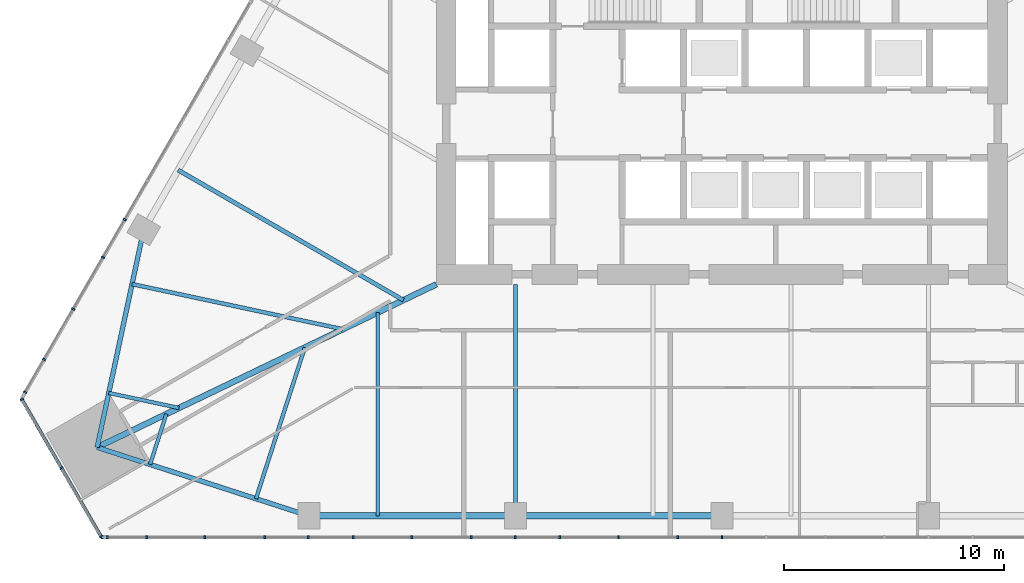
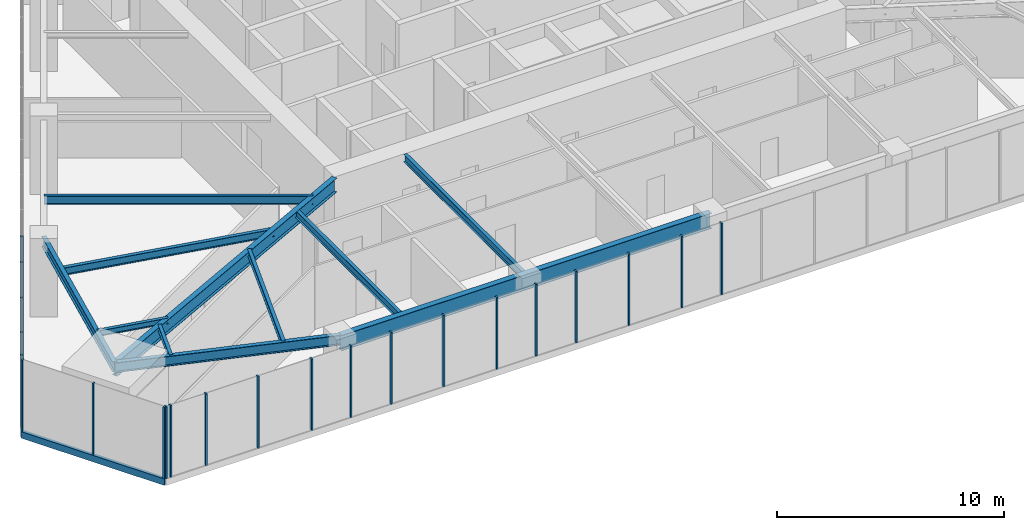
# One storey, part 2 of 21: 23 members, 11 beams, 3 elements without a shape of their own.
"""IFC4 building model written with IfcOpenShell, lengths in metres."""

from ifc_helpers import new_model, si_unit, direction, frame, origin, origin_2d, place, context, subcontext, project, spatial, rectangle, i_section, extrude, material, layer, layer_set, material_profile, profile_set, type_object, element, aggregate, save


model = new_model("IFC4")

# Units and contexts
model_context = context("Model", 3, precision=1e-05, world=origin(), true_north=direction((0.0, 1.0)))
body_context = subcontext(model_context, "Body", "Model", "MODEL_VIEW")
ifc_project = project(units=[si_unit("LENGTHUNIT", "METRE"), si_unit("AREAUNIT", "SQUARE_METRE"), si_unit("VOLUMEUNIT", "CUBIC_METRE"), si_unit("PLANEANGLEUNIT", "RADIAN"), si_unit("MASSUNIT", "GRAM", prefix="KILO")], contexts=[model_context])

# Site, building, storey
site_placement = place(None, origin())
site = spatial("IfcSite", under=ifc_project, at=site_placement, CompositionType="ELEMENT")
building_placement = place(site_placement, origin())
building = spatial("IfcBuilding", under=site, at=building_placement, Name="Firuza Gate Tower and Library", CompositionType="ELEMENT")
storey_placement = place(building_placement, frame((0.0, 0.0, 98.800048828125)))
storey = spatial("IfcBuildingStorey", under=building, at=storey_placement, Name="L22", CompositionType="ELEMENT", Elevation=98.800048828125)

# Curtain wall, members
ifc_material_1 = material(Name="Aluminium 6063-T6", Category="aluminium")
ifc_layer_1 = layer(ifc_material_1, 0.14990234375)
ifc_layer_set_1 = layer_set([ifc_layer_1], Name="Unitised curtain wall, offices")
curtain_wall_type_1 = type_object("IfcCurtainWallType", Name="Unitised curtain wall, offices", PredefinedType="NOTDEFINED", material=ifc_layer_set_1)
placement = place(storey_placement, origin())
curtain_wall_1 = element("IfcCurtainWall", 1, at=placement, inside=storey, type_object=curtain_wall_type_1, Name="CW1 L22 S face", PredefinedType="NOTDEFINED")
ifc_material_2 = material(Name="Aluminium 6063-T6", Category="aluminium")
ifc_material_profile_1 = material_profile(ifc_material_2, rectangle(XDim=0.14990234375, YDim=0.080078125, at=origin_2d()))
ifc_profile_set_1 = profile_set([ifc_material_profile_1], Name="Aluminium 6063-T6")
member_type_1 = type_object("IfcMemberType", Name="Curtain wall mullion 80x150", PredefinedType="MULLION", material=ifc_profile_set_1)
member_1_placement = place(storey_placement, frame((46.78662109375, 54.48095703125, 0.14990234375), z_axis=(0.0, 0.0, 1.0), x_axis=(0.0, 1.0, 0.0)))
member_1 = element("IfcMember", 2, at=member_1_placement, type_object=member_type_1, Name="Mullion", PredefinedType="MULLION", context=body_context, shape_type="SweptSolid", body=[
    extrude(rectangle(XDim=0.14990234375, YDim=0.080078125, at=origin_2d()), origin(), (0.0, 0.0, 1.0), 3.85009765625),
])
member_2_placement = place(storey_placement, frame((51.45556640625, 54.48095703125, 0.14990234375), z_axis=(0.0, 0.0, 1.0), x_axis=(0.0, 1.0, 0.0)))
member_2 = element("IfcMember", 3, at=member_2_placement, type_object=member_type_1, Name="Mullion", PredefinedType="MULLION", context=body_context, shape_type="SweptSolid", body=[
    extrude(rectangle(XDim=0.14990234375, YDim=0.080078125, at=origin_2d()), origin(), (0.0, 0.0, 1.0), 3.85009765625),
])
member_3_placement = place(storey_placement, frame((56.164306640625, 54.48095703125, 0.14990234375), z_axis=(0.0, 0.0, 1.0), x_axis=(0.0, 1.0, 0.0)))
member_3 = element("IfcMember", 4, at=member_3_placement, type_object=member_type_1, Name="Mullion", PredefinedType="MULLION", context=body_context, shape_type="SweptSolid", body=[
    extrude(rectangle(XDim=0.14990234375, YDim=0.080078125, at=origin_2d()), origin(), (0.0, 0.0, 1.0), 3.85009765625),
])
member_4_placement = place(storey_placement, frame((60.873291015625, 54.48095703125, 0.14990234375), z_axis=(0.0, 0.0, 1.0), x_axis=(0.0, 1.0, 0.0)))
member_4 = element("IfcMember", 5, at=member_4_placement, type_object=member_type_1, Name="Mullion", PredefinedType="MULLION", context=body_context, shape_type="SweptSolid", body=[
    extrude(rectangle(XDim=0.14990234375, YDim=0.080078125, at=origin_2d()), origin(), (0.0, 0.0, 1.0), 3.85009765625),
])
member_5_placement = place(storey_placement, frame((65.582275390625, 54.48095703125, 0.14990234375), z_axis=(0.0, 0.0, 1.0), x_axis=(0.0, 1.0, 0.0)))
member_5 = element("IfcMember", 6, at=member_5_placement, type_object=member_type_1, Name="Mullion", PredefinedType="MULLION", context=body_context, shape_type="SweptSolid", body=[
    extrude(rectangle(XDim=0.14990234375, YDim=0.080078125, at=origin_2d()), origin(), (0.0, 0.0, 1.0), 3.85009765625),
])
member_6_placement = place(storey_placement, frame((70.291015625, 54.48095703125, 0.14990234375), z_axis=(0.0, 0.0, 1.0), x_axis=(0.0, 1.0, 0.0)))
member_6 = element("IfcMember", 7, at=member_6_placement, type_object=member_type_1, Name="Mullion", PredefinedType="MULLION", context=body_context, shape_type="SweptSolid", body=[
    extrude(rectangle(XDim=0.14990234375, YDim=0.080078125, at=origin_2d()), origin(), (0.0, 0.0, 1.0), 3.85009765625),
])
member_7_placement = place(storey_placement, frame((75.0, 54.48095703125, 0.14990234375), z_axis=(0.0, 0.0, 1.0), x_axis=(0.0, 1.0, 0.0)))
member_7 = element("IfcMember", 8, at=member_7_placement, type_object=member_type_1, Name="Mullion", PredefinedType="MULLION", context=body_context, shape_type="SweptSolid", body=[
    extrude(rectangle(XDim=0.14990234375, YDim=0.080078125, at=origin_2d()), origin(), (0.0, 0.0, 1.0), 3.85009765625),
])
member_8_placement = place(storey_placement, frame((47.0126953125, 54.48095703125, 0.14990234375), z_axis=(0.0, 0.0, 1.0), x_axis=(0.0, 1.0, 0.0)))
member_8 = element("IfcMember", 9, at=member_8_placement, type_object=member_type_1, Name="Mullion", PredefinedType="MULLION", context=body_context, shape_type="SweptSolid", body=[
    extrude(rectangle(XDim=0.14990234375, YDim=0.080078125, at=origin_2d()), origin(), (0.0, 0.0, 1.0), 3.85009765625),
])
member_9_placement = place(storey_placement, frame((48.806640625, 54.48095703125, 0.14990234375), z_axis=(0.0, 0.0, 1.0), x_axis=(0.0, 1.0, 0.0)))
member_9 = element("IfcMember", 10, at=member_9_placement, type_object=member_type_1, Name="Mullion", PredefinedType="MULLION", context=body_context, shape_type="SweptSolid", body=[
    extrude(rectangle(XDim=0.14990234375, YDim=0.080078125, at=origin_2d()), origin(), (0.0, 0.0, 1.0), 3.85009765625),
])
member_10_placement = place(storey_placement, frame((54.176513671875, 54.48095703125, 0.14990234375), z_axis=(0.0, 0.0, 1.0), x_axis=(0.0, 1.0, 0.0)))
member_10 = element("IfcMember", 11, at=member_10_placement, type_object=member_type_1, Name="Mullion", PredefinedType="MULLION", context=body_context, shape_type="SweptSolid", body=[
    extrude(rectangle(XDim=0.14990234375, YDim=0.080078125, at=origin_2d()), origin(), (0.0, 0.0, 1.0), 3.85009765625),
])
member_11_placement = place(storey_placement, frame((58.2099609375, 54.48095703125, 0.14990234375), z_axis=(0.0, 0.0, 1.0), x_axis=(0.0, 1.0, 0.0)))
member_11 = element("IfcMember", 12, at=member_11_placement, type_object=member_type_1, Name="Mullion", PredefinedType="MULLION", context=body_context, shape_type="SweptSolid", body=[
    extrude(rectangle(XDim=0.14990234375, YDim=0.080078125, at=origin_2d()), origin(), (0.0, 0.0, 1.0), 3.85009765625),
])
member_12_placement = place(storey_placement, frame((63.579833984375, 54.48095703125, 0.14990234375), z_axis=(0.0, 0.0, 1.0), x_axis=(0.0, 1.0, 0.0)))
member_12 = element("IfcMember", 13, at=member_12_placement, type_object=member_type_1, Name="Mullion", PredefinedType="MULLION", context=body_context, shape_type="SweptSolid", body=[
    extrude(rectangle(XDim=0.14990234375, YDim=0.080078125, at=origin_2d()), origin(), (0.0, 0.0, 1.0), 3.85009765625),
])
member_13_placement = place(storey_placement, frame((67.61328125, 54.48095703125, 0.14990234375), z_axis=(0.0, 0.0, 1.0), x_axis=(0.0, 1.0, 0.0)))
member_13 = element("IfcMember", 14, at=member_13_placement, type_object=member_type_1, Name="Mullion", PredefinedType="MULLION", context=body_context, shape_type="SweptSolid", body=[
    extrude(rectangle(XDim=0.14990234375, YDim=0.080078125, at=origin_2d()), origin(), (0.0, 0.0, 1.0), 3.85009765625),
])
member_14_placement = place(storey_placement, frame((72.9833984375, 54.48095703125, 0.14990234375), z_axis=(0.0, 0.0, 1.0), x_axis=(0.0, 1.0, 0.0)))
member_14 = element("IfcMember", 15, at=member_14_placement, type_object=member_type_1, Name="Mullion", PredefinedType="MULLION", context=body_context, shape_type="SweptSolid", body=[
    extrude(rectangle(XDim=0.14990234375, YDim=0.080078125, at=origin_2d()), origin(), (0.0, 0.0, 1.0), 3.85009765625),
])
aggregate(curtain_wall_1, [member_1, member_2, member_3, member_4, member_5, member_6, member_7, member_8, member_9, member_10, member_11, member_12, member_13, member_14])

curtain_wall_2 = element("IfcCurtainWall", 16, at=placement, inside=storey, type_object=curtain_wall_type_1, Name="CW1 L22 W face", PredefinedType="NOTDEFINED")
member_15_placement = place(storey_placement, frame((47.812255859375, 68.947509765625, 0.14990234375), z_axis=(0.0, 0.0, 1.0), x_axis=(0.866025403784, -0.5, 0.0)))
member_15 = element("IfcMember", 17, at=member_15_placement, type_object=member_type_1, Name="Mullion", PredefinedType="MULLION", context=body_context, shape_type="SweptSolid", body=[
    extrude(rectangle(XDim=0.14990234375, YDim=0.080078125, at=origin_2d()), origin(), (0.0, 0.0, 1.0), 3.85009765625),
])
member_16_placement = place(storey_placement, frame((45.457763671875, 64.869384765625, 0.14990234375), z_axis=(0.0, 0.0, 1.0), x_axis=(0.866025403784, -0.5, 0.0)))
member_16 = element("IfcMember", 18, at=member_16_placement, type_object=member_type_1, Name="Mullion", PredefinedType="MULLION", context=body_context, shape_type="SweptSolid", body=[
    extrude(rectangle(XDim=0.14990234375, YDim=0.080078125, at=origin_2d()), origin(), (0.0, 0.0, 1.0), 3.85009765625),
])
member_17_placement = place(storey_placement, frame((46.818359375, 67.225830078125, 0.14990234375), z_axis=(0.0, 0.0, 1.0), x_axis=(0.866025403784, -0.5, 0.0)))
member_17 = element("IfcMember", 19, at=member_17_placement, type_object=member_type_1, Name="Mullion", PredefinedType="MULLION", context=body_context, shape_type="SweptSolid", body=[
    extrude(rectangle(XDim=0.14990234375, YDim=0.080078125, at=origin_2d()), origin(), (0.0, 0.0, 1.0), 3.85009765625),
])
member_18_placement = place(storey_placement, frame((44.13330078125, 62.575439453125, 0.14990234375), z_axis=(0.0, 0.0, 1.0), x_axis=(0.866025403784, -0.5, 0.0)))
member_18 = element("IfcMember", 20, at=member_18_placement, type_object=member_type_1, Name="Mullion", PredefinedType="MULLION", context=body_context, shape_type="SweptSolid", body=[
    extrude(rectangle(XDim=0.14990234375, YDim=0.080078125, at=origin_2d()), origin(), (0.0, 0.0, 1.0), 3.85009765625),
])
member_19_placement = place(storey_placement, frame((43.268798828125, 61.078125, 0.14990234375), z_axis=(0.0, 0.0, 1.0), x_axis=(0.866025403784, -0.5, 0.0)))
member_19 = element("IfcMember", 21, at=member_19_placement, type_object=member_type_1, Name="Mullion", PredefinedType="MULLION", context=body_context, shape_type="SweptSolid", body=[
    extrude(rectangle(XDim=0.14990234375, YDim=0.080078125, at=origin_2d()), origin(), (0.0, 0.0, 1.0), 3.85009765625),
])
aggregate(curtain_wall_2, [member_15, member_16, member_17, member_18, member_19])

ifc_material_3 = material(Name="Aluminium 6063-T6", Category="aluminium")
ifc_layer_2 = layer(ifc_material_3, 0.14990234375)
ifc_layer_set_2 = layer_set([ifc_layer_2], Name="Corner curtain wall, chamfers")
curtain_wall_type_2 = type_object("IfcCurtainWallType", Name="Corner curtain wall, chamfers", PredefinedType="NOTDEFINED", material=ifc_layer_set_2)
curtain_wall_3 = element("IfcCurtainWall", 22, at=placement, inside=storey, type_object=curtain_wall_type_2, Name="CW4 L22 SW corner", PredefinedType="NOTDEFINED")
member_20_placement = place(storey_placement, frame((43.123291015625, 60.756591796875, 0.14990234375), z_axis=(0.0, 0.0, 1.0), x_axis=(0.866025403784, 0.5, 0.0)))
member_20 = element("IfcMember", 23, at=member_20_placement, type_object=member_type_1, Name="Mullion", PredefinedType="MULLION", context=body_context, shape_type="SweptSolid", body=[
    extrude(rectangle(XDim=0.14990234375, YDim=0.080078125, at=origin_2d()), origin(), (0.0, 0.0, 1.0), 3.85009765625),
])
member_21_placement = place(storey_placement, frame((44.925048828125, 57.63623046875, 0.14990234375), z_axis=(0.0, 0.0, 1.0), x_axis=(0.866025403784, 0.5, 0.0)))
member_21 = element("IfcMember", 24, at=member_21_placement, type_object=member_type_1, Name="Mullion", PredefinedType="MULLION", context=body_context, shape_type="SweptSolid", body=[
    extrude(rectangle(XDim=0.14990234375, YDim=0.080078125, at=origin_2d()), origin(), (0.0, 0.0, 1.0), 3.85009765625),
])
member_22_placement = place(storey_placement, frame((46.7265625, 54.515625, 0.14990234375), z_axis=(0.0, 0.0, 1.0), x_axis=(0.866025403784, 0.5, 0.0)))
member_22 = element("IfcMember", 25, at=member_22_placement, type_object=member_type_1, Name="Mullion", PredefinedType="MULLION", context=body_context, shape_type="SweptSolid", body=[
    extrude(rectangle(XDim=0.14990234375, YDim=0.080078125, at=origin_2d()), origin(), (0.0, 0.0, 1.0), 3.85009765625),
])
ifc_material_4 = material(Name="Aluminium 6063-T6", Category="aluminium")
ifc_material_profile_2 = material_profile(ifc_material_4, rectangle(XDim=0.14990234375, YDim=0.35009765625, at=origin_2d()))
ifc_profile_set_2 = profile_set([ifc_material_profile_2], Name="Aluminium 6063-T6")
member_type_2 = type_object("IfcMemberType", Name="Curtain wall transom 350x150", PredefinedType="USERDEFINED", material=ifc_profile_set_2)
member_23_placement = place(storey_placement, frame((43.103271484375, 60.791259765625, -0.025146484375), z_axis=(0.500005719219, -0.866022101766, 0.0), x_axis=(0.866022101766, 0.500005719219, 0.0)))
member_23 = element("IfcMember", 26, at=member_23_placement, type_object=member_type_2, Name="Transom", ObjectType="TRANSOM", PredefinedType="USERDEFINED", context=body_context, shape_type="SweptSolid", body=[
    extrude(rectangle(XDim=0.14990234375, YDim=0.35009765625, at=origin_2d()), origin(), (0.0, 0.0, 1.0), 7.28662109375),
])
aggregate(curtain_wall_3, [member_20, member_21, member_22, member_23])

# Beams
ifc_material_5 = material(Name="Steel S355", Category="steel")
ifc_material_profile_3 = material_profile(ifc_material_5, i_section(OverallWidth=0.1650390625, OverallDepth=0.31005859375, WebThickness=0.005859375, FlangeThickness=0.009765625, at=origin_2d()))
ifc_profile_set_3 = profile_set([ifc_material_profile_3], Name="Steel S355")
beam_type_1 = type_object("IfcBeamType", Name="W310x39 Floor beam", PredefinedType="JOIST", material=ifc_profile_set_3)
beam_1_placement = place(storey_placement, frame((47.079345703125, 61.051513671875, 3.844970703125), z_axis=(0.97783625128, -0.209371119503, 0.0), x_axis=(0.209371119503, 0.97783625128, 0.0)))
element("IfcBeam", 27, at=beam_1_placement, inside=storey, type_object=beam_type_1, Name="Floor beam L22 s01", PredefinedType="JOIST", context=body_context, shape_type="SweptSolid", body=[
    extrude(i_section(OverallWidth=0.1650390625, OverallDepth=0.31005859375, WebThickness=0.005859375, FlangeThickness=0.009765625, at=origin_2d()), origin(), (0.0, 0.0, 1.0), 3.27197265625),
])
beam_2_placement = place(storey_placement, frame((48.9599609375, 57.794189453125, 3.844970703125), z_axis=(0.307529192358, 0.951538646534, 0.0), x_axis=(-0.951538646534, 0.307529192358, 0.0)))
element("IfcBeam", 28, at=beam_2_placement, inside=storey, type_object=beam_type_1, Name="Floor beam L22 s10", PredefinedType="JOIST", context=body_context, shape_type="SweptSolid", body=[
    extrude(i_section(OverallWidth=0.1650390625, OverallDepth=0.31005859375, WebThickness=0.005859375, FlangeThickness=0.009765625, at=origin_2d()), origin(), (0.0, 0.0, 1.0), 2.411865234375),
])
ifc_material_6 = material(Name="Steel S355", Category="steel")
ifc_material_profile_4 = material_profile(ifc_material_6, i_section(OverallWidth=0.1708984375, OverallDepth=0.35498046875, WebThickness=0.007080078125, FlangeThickness=0.01171875, at=origin_2d()))
ifc_profile_set_4 = profile_set([ifc_material_profile_4], Name="Steel S355")
beam_type_2 = type_object("IfcBeamType", Name="W360x51 Floor beam", PredefinedType="JOIST", material=ifc_profile_set_4)
beam_3_placement = place(storey_placement, frame((53.7822265625, 56.2353515625, 3.822509765625), z_axis=(0.307569618225, 0.951525580289, 0.0), x_axis=(-0.951525580289, 0.307569618225, 0.0)))
element("IfcBeam", 29, at=beam_3_placement, inside=storey, type_object=beam_type_2, Name="Floor beam L22 s11", PredefinedType="JOIST", context=body_context, shape_type="SweptSolid", body=[
    extrude(i_section(OverallWidth=0.1708984375, OverallDepth=0.35498046875, WebThickness=0.007080078125, FlangeThickness=0.01171875, at=origin_2d()), origin(), (0.0, 0.0, 1.0), 7.2353515625),
])
ifc_material_7 = material(Name="Steel S355", Category="steel")
ifc_material_profile_5 = material_profile(ifc_material_7, i_section(OverallWidth=0.177978515625, OverallDepth=0.406982421875, WebThickness=0.0078125, FlangeThickness=0.0126953125, at=origin_2d()))
ifc_profile_set_5 = profile_set([ifc_material_profile_5], Name="Steel S355")
beam_type_3 = type_object("IfcBeamType", Name="W410x60 Floor beam", PredefinedType="JOIST", material=ifc_profile_set_5)
beam_4_placement = place(storey_placement, frame((48.140380859375, 66.007080078125, 3.79638671875), z_axis=(0.977835160952, -0.209376211652, 0.0), x_axis=(0.209376211652, 0.977835160952, 0.0)))
element("IfcBeam", 30, at=beam_4_placement, inside=storey, type_object=beam_type_3, Name="Floor beam L22 s00", PredefinedType="JOIST", context=body_context, shape_type="SweptSolid", body=[
    extrude(i_section(OverallWidth=0.177978515625, OverallDepth=0.406982421875, WebThickness=0.0078125, FlangeThickness=0.0126953125, at=origin_2d()), origin(), (0.0, 0.0, 1.0), 9.815673828125),
])
beam_5_placement = place(storey_placement, frame((59.32763671875, 55.4560546875, 3.79638671875), z_axis=(0.0, 1.0, 0.0), x_axis=(-1.0, 0.0, 0.0)))
element("IfcBeam", 31, at=beam_5_placement, inside=storey, type_object=beam_type_3, Name="Floor beam L22 s20", PredefinedType="JOIST", context=body_context, shape_type="SweptSolid", body=[
    extrude(i_section(OverallWidth=0.177978515625, OverallDepth=0.406982421875, WebThickness=0.0078125, FlangeThickness=0.0126953125, at=origin_2d()), origin(), (0.0, 0.0, 1.0), 9.259521484375),
])
beam_6_placement = place(storey_placement, frame((65.5966796875, 55.4560546875, 3.79638671875), z_axis=(0.0, 1.0, 0.0), x_axis=(-1.0, 0.0, 0.0)))
element("IfcBeam", 32, at=beam_6_placement, inside=storey, type_object=beam_type_3, Name="Floor beam L22 s21", PredefinedType="JOIST", context=body_context, shape_type="SweptSolid", body=[
    extrude(i_section(OverallWidth=0.177978515625, OverallDepth=0.406982421875, WebThickness=0.0078125, FlangeThickness=0.0126953125, at=origin_2d()), origin(), (0.0, 0.0, 1.0), 10.5439453125),
])
ifc_material_8 = material(Name="Steel S355", Category="steel")
ifc_material_profile_6 = material_profile(ifc_material_8, i_section(OverallWidth=0.18994140625, OverallDepth=0.45703125, WebThickness=0.009033203125, FlangeThickness=0.014404296875, at=origin_2d()))
ifc_profile_set_6 = profile_set([ifc_material_profile_6], Name="Steel S355")
beam_type_4 = type_object("IfcBeamType", Name="W460x74 Floor beam", PredefinedType="JOIST", material=ifc_profile_set_6)
beam_7_placement = place(storey_placement, frame((50.23828125, 71.199462890625, 3.771484375), z_axis=(0.866019794698, -0.500009715097, 0.0), x_axis=(0.500009715097, 0.866019794698, 0.0)))
element("IfcBeam", 33, at=beam_7_placement, inside=storey, type_object=beam_type_4, Name="Floor beam L22 s85", PredefinedType="JOIST", context=body_context, shape_type="SweptSolid", body=[
    extrude(i_section(OverallWidth=0.18994140625, OverallDepth=0.45703125, WebThickness=0.009033203125, FlangeThickness=0.014404296875, at=origin_2d()), origin(), (0.0, 0.0, 1.0), 11.844482421875),
])
ifc_material_9 = material(Name="Steel S355", Category="steel")
ifc_material_profile_7 = material_profile(ifc_material_9, i_section(OverallWidth=0.212890625, OverallDepth=0.5390625, WebThickness=0.01171875, FlangeThickness=0.018798828125, at=origin_2d()))
ifc_profile_set_7 = profile_set([ifc_material_profile_7], Name="Steel S355")
beam_type_5 = type_object("IfcBeamType", Name="W530x109 Edge beam", PredefinedType="SPANDREL", material=ifc_profile_set_7)
beam_8_placement = place(storey_placement, frame((48.6708984375, 68.48486328125, 3.73046875), z_axis=(-0.209364588878, -0.977837649574, 0.0), x_axis=(0.977837649574, -0.209364588878, 0.0)))
element("IfcBeam", 34, at=beam_8_placement, inside=storey, type_object=beam_type_5, Name="Edge beam L22 e00", PredefinedType="SPANDREL", context=body_context, shape_type="SweptSolid", body=[
    extrude(i_section(OverallWidth=0.212890625, OverallDepth=0.5390625, WebThickness=0.01171875, FlangeThickness=0.018798828125, at=origin_2d()), origin(), (0.0, 0.0, 1.0), 10.1357421875),
])
beam_9_placement = place(storey_placement, frame((46.548828125, 58.57373046875, 3.73046875), z_axis=(0.951520013056, -0.307586840996, 0.0), x_axis=(0.307586840996, 0.951520013056, 0.0)))
element("IfcBeam", 35, at=beam_9_placement, inside=storey, type_object=beam_type_5, Name="Edge beam L22 e10", PredefinedType="SPANDREL", context=body_context, shape_type="SweptSolid", body=[
    extrude(i_section(OverallWidth=0.212890625, OverallDepth=0.5390625, WebThickness=0.01171875, FlangeThickness=0.018798828125, at=origin_2d()), origin(), (0.0, 0.0, 1.0), 10.135986328125),
])
ifc_material_10 = material(Name="Steel S355", Category="steel")
ifc_material_profile_8 = material_profile(ifc_material_10, i_section(OverallWidth=0.264892578125, OverallDepth=0.7529296875, WebThickness=0.01318359375, FlangeThickness=0.01708984375, at=origin_2d()))
ifc_profile_set_8 = profile_set([ifc_material_profile_8], Name="Steel S355")
beam_type_6 = type_object("IfcBeamType", Name="W760x147 Girder", PredefinedType="BEAM", material=ifc_profile_set_8)
beam_10_placement = place(storey_placement, frame((46.548828125, 58.57373046875, 3.62353515625), z_axis=(0.901302042776, 0.433191213771, 0.0), x_axis=(-0.433191213771, 0.901302042776, 0.0)))
element("IfcBeam", 36, at=beam_10_placement, inside=storey, type_object=beam_type_6, Name="Girder L22 gSW", PredefinedType="BEAM", context=body_context, shape_type="SweptSolid", body=[
    extrude(i_section(OverallWidth=0.264892578125, OverallDepth=0.7529296875, WebThickness=0.01318359375, FlangeThickness=0.01708984375, at=origin_2d()), origin(), (0.0, 0.0, 1.0), 17.14306640625),
])
ifc_material_11 = material(Name="Steel S355", Category="steel")
ifc_material_profile_9 = material_profile(ifc_material_11, i_section(OverallWidth=0.2919921875, OverallDepth=0.8349609375, WebThickness=0.013916015625, FlangeThickness=0.018798828125, at=origin_2d()))
ifc_profile_set_9 = profile_set([ifc_material_profile_9], Name="Steel S355")
beam_type_7 = type_object("IfcBeamType", Name="W840x176 Edge beam", PredefinedType="SPANDREL", material=ifc_profile_set_9)
beam_11_placement = place(storey_placement, frame((56.193359375, 55.4560546875, 3.58251953125), z_axis=(1.0, 0.0, 0.0), x_axis=(0.0, 1.0, 0.0)))
element("IfcBeam", 37, at=beam_11_placement, inside=storey, type_object=beam_type_7, Name="Edge beam L22 e20", PredefinedType="SPANDREL", context=body_context, shape_type="SweptSolid", body=[
    extrude(i_section(OverallWidth=0.2919921875, OverallDepth=0.8349609375, WebThickness=0.013916015625, FlangeThickness=0.018798828125, at=origin_2d()), origin(), (0.0, 0.0, 1.0), 18.806640625),
])

save(model, "model.ifc")
